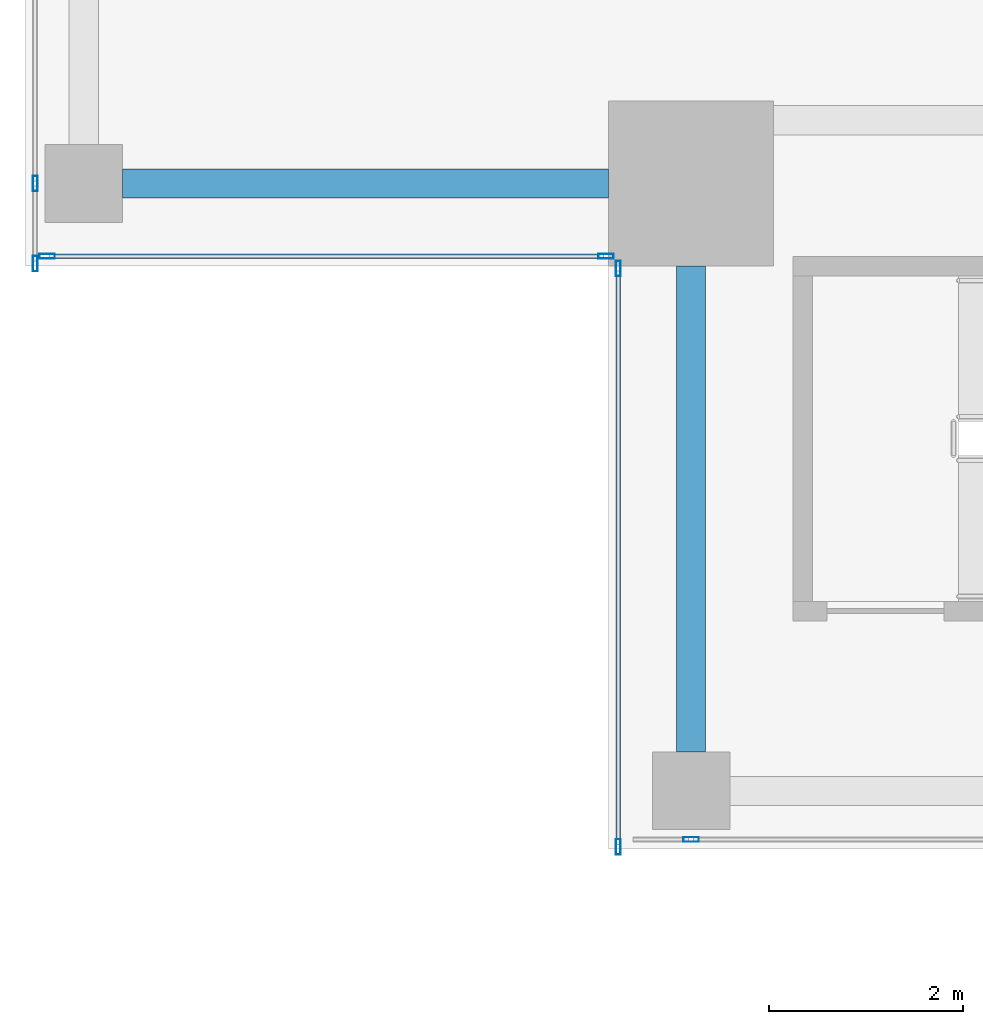
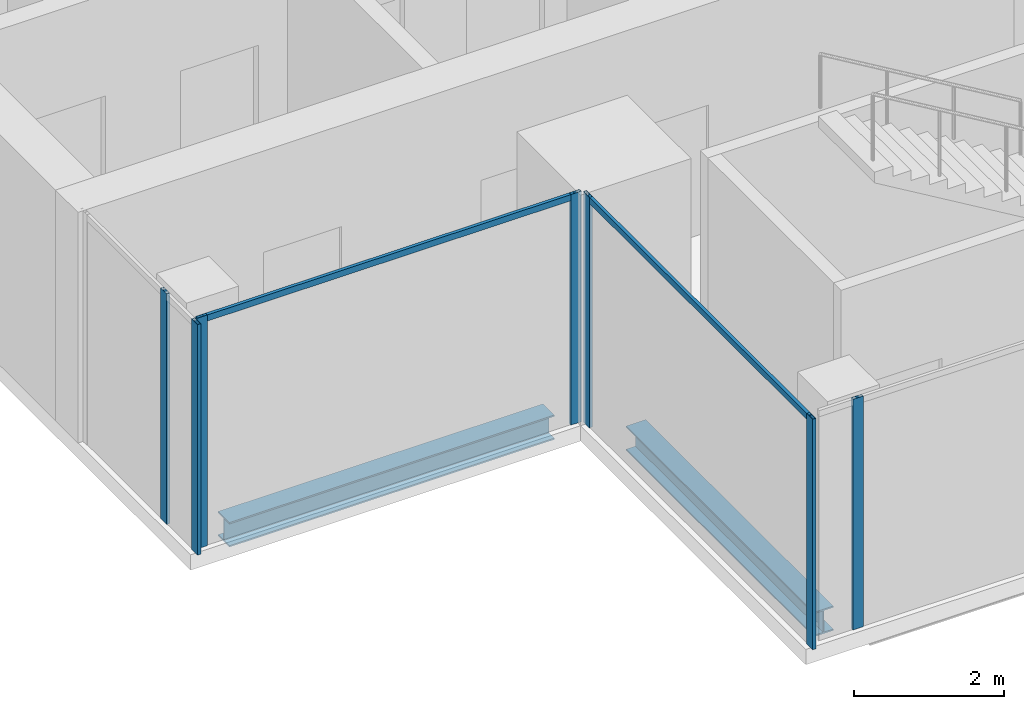
# One storey, part 2 of 29: 9 members, 2 beams, 4 elements without a shape of their own.
"""IFC4 building model written with IfcOpenShell, lengths in metres."""

from ifc_helpers import new_model, si_unit, direction, frame, origin, origin_2d, place, context, subcontext, project, spatial, hollow_rectangle, i_section, extrude, source, transform, mapped, material, material_profile, profile_set, type_object, element, aggregate, save


model = new_model("IFC4")

# Units and contexts
model_context = context("Model", 3, precision=1e-05, world=origin(), true_north=direction((0.0, 1.0)))
body_context = subcontext(model_context, "Body", "Model", "MODEL_VIEW")
ifc_project = project(units=[si_unit("LENGTHUNIT", "METRE"), si_unit("AREAUNIT", "SQUARE_METRE"), si_unit("VOLUMEUNIT", "CUBIC_METRE"), si_unit("PLANEANGLEUNIT", "RADIAN"), si_unit("MASSUNIT", "GRAM", prefix="KILO")], contexts=[model_context])

# Site, building, storey
site_placement = place(None, origin())
site = spatial("IfcSite", under=ifc_project, at=site_placement, CompositionType="ELEMENT")
building_placement = place(site_placement, origin())
building = spatial("IfcBuilding", under=site, at=building_placement, Name="Khomas Fold Tower", CompositionType="ELEMENT")
storey_placement = place(building_placement, frame((0.0, 0.0, 290.199951171875)))
storey = spatial("IfcBuildingStorey", under=building, at=storey_placement, Name="L65", CompositionType="ELEMENT", Elevation=290.199951171875)

# Beams
ifc_material_1 = material(Name="Steel S355", Category="steel")
ifc_material_profile_1 = material_profile(ifc_material_1, i_section(OverallWidth=0.300048828125, OverallDepth=0.39990234375, WebThickness=0.013427734375, FlangeThickness=0.02392578125, at=origin_2d()), Name="HE 400 B")
ifc_profile_set_1 = profile_set([ifc_material_profile_1], Name="Steel S355")
beam_type = type_object("IfcBeamType", Name="HE 400 B spandrel SB5", PredefinedType="SPANDREL", material=ifc_profile_set_1)
shared_shape_1 = source(origin(), body_context, "Body", "SweptSolid", [
    extrude(i_section(OverallWidth=0.300048828125, OverallDepth=0.39990234375, WebThickness=0.013427734375, FlangeThickness=0.02392578125, at=origin_2d()), origin(), (0.0, 0.0, 1.0), 5.0),
])
for number, where, z_axis, x_axis, name in (
    (1, (7.0, 12.85009765625, -0.449951171875), (1.0, 0.0, 0.0), (0.0, 1.0, 0.0), "SB5"),
    (2, (12.85009765625, 7.0, -0.449951171875), (0.0, 1.0, 0.0), (-1.0, 0.0, 0.0), "SB5"),
):
    element("IfcBeam", number, at=place(storey_placement, frame(where, z_axis=z_axis, x_axis=x_axis)), inside=storey, type_object=beam_type, Name=name, PredefinedType="SPANDREL", context=body_context, shape_type="MappedRepresentation", body=[
        mapped(shared_shape_1, transform((0.0, 0.0, 0.0))),
    ])

# Curtain wall, member
ifc_material_2 = material(Name="Aluminium framed double glazing", Category="aluminium")
curtain_wall_type = type_object("IfcCurtainWallType", Name="SK-Unitised clear-glass wall, upper floors CW3", PredefinedType="NOTDEFINED", material=ifc_material_2)
curtain_wall_1_placement = place(storey_placement, origin())
curtain_wall_1 = element("IfcCurtainWall", 3, at=curtain_wall_1_placement, inside=storey, type_object=curtain_wall_type, Name="CW3 run L65 00-0", PredefinedType="NOTDEFINED")
ifc_material_3 = material(Name="Aluminium", Category="aluminium")
ifc_material_profile_2 = material_profile(ifc_material_3, hollow_rectangle(XDim=0.050048828125, YDim=0.159912109375, WallThickness=0.00390625, at=origin_2d()), Name="SK-Unitised clear-glass wall, upper floors mullion CW3-M")
ifc_profile_set_2 = profile_set([ifc_material_profile_2], Name="Aluminium")
member_type_1 = type_object("IfcMemberType", Name="SK-Unitised clear-glass wall, upper floors mullion CW3-M", PredefinedType="MULLION", material=ifc_profile_set_2)
shared_shape_2 = source(origin(), body_context, "Body", "SweptSolid", [
    extrude(hollow_rectangle(XDim=0.050048828125, YDim=0.159912109375, WallThickness=0.00390625, at=origin_2d()), origin(), (0.0, 0.0, 1.0), 3.75),
])
member_1_placement = place(storey_placement, frame((12.85009765625, 6.10009765625, 0.0), z_axis=(0.0, 0.0, 1.0), x_axis=(0.0, 1.0, 0.0)))
member_1 = element("IfcMember", 4, at=member_1_placement, type_object=member_type_1, Name="CW3 mullion 2", PredefinedType="MULLION", context=body_context, shape_type="MappedRepresentation", body=[
    mapped(shared_shape_2, transform((0.0, 0.0, 0.0))),
])
aggregate(curtain_wall_1, [member_1])

# Curtain wall, members
curtain_wall_2_placement = place(storey_placement, origin())
curtain_wall_2 = element("IfcCurtainWall", 5, at=curtain_wall_2_placement, inside=storey, type_object=curtain_wall_type, Name="CW3 run L65 09-1", PredefinedType="NOTDEFINED")
member_2_placement = place(storey_placement, frame((6.10009765625, 12.85009765625, 0.0), z_axis=(0.0, 0.0, 1.0), x_axis=(1.0, 0.0, 0.0)))
member_2 = element("IfcMember", 6, at=member_2_placement, type_object=member_type_1, Name="CW3 mullion 2", PredefinedType="MULLION", context=body_context, shape_type="MappedRepresentation", body=[
    mapped(shared_shape_2, transform((0.0, 0.0, 0.0))),
])
member_3_placement = place(storey_placement, frame((6.10009765625, 12.02490234375, 0.0), z_axis=(0.0, 0.0, 1.0), x_axis=(1.0, 0.0, 0.0)))
member_3 = element("IfcMember", 7, at=member_3_placement, type_object=member_type_1, Name="CW3 mullion 3", PredefinedType="MULLION", context=body_context, shape_type="MappedRepresentation", body=[
    mapped(shared_shape_2, transform((0.0, 0.0, 0.0))),
])
aggregate(curtain_wall_2, [member_2, member_3])

curtain_wall_3_placement = place(storey_placement, origin())
curtain_wall_3 = element("IfcCurtainWall", 8, at=curtain_wall_3_placement, inside=storey, type_object=curtain_wall_type, Name="CW3 corner return L65 10", PredefinedType="NOTDEFINED")
member_4_placement = place(storey_placement, frame((6.22509765625, 12.10009765625, 0.0), z_axis=(0.0, 0.0, 1.0), x_axis=(0.0, 1.0, 0.0)))
member_4 = element("IfcMember", 9, at=member_4_placement, type_object=member_type_1, Name="CW3 mullion 1", PredefinedType="MULLION", context=body_context, shape_type="MappedRepresentation", body=[
    mapped(shared_shape_2, transform((0.0, 0.0, 0.0))),
])
member_5_placement = place(storey_placement, frame((11.97509765625, 12.10009765625, 0.0), z_axis=(0.0, 0.0, 1.0), x_axis=(0.0, 1.0, 0.0)))
member_5 = element("IfcMember", 10, at=member_5_placement, type_object=member_type_1, Name="CW3 mullion 2", PredefinedType="MULLION", context=body_context, shape_type="MappedRepresentation", body=[
    mapped(shared_shape_2, transform((0.0, 0.0, 0.0))),
])

curtain_wall_4_placement = place(storey_placement, origin())
curtain_wall_4 = element("IfcCurtainWall", 11, at=curtain_wall_4_placement, inside=storey, type_object=curtain_wall_type, Name="CW3 corner return L65 11", PredefinedType="NOTDEFINED")
member_6_placement = place(storey_placement, frame((12.10009765625, 11.97509765625, 0.0), z_axis=(0.0, 0.0, 1.0), x_axis=(1.0, 0.0, 0.0)))
member_6 = element("IfcMember", 12, at=member_6_placement, type_object=member_type_1, Name="CW3 mullion 1", PredefinedType="MULLION", context=body_context, shape_type="MappedRepresentation", body=[
    mapped(shared_shape_2, transform((0.0, 0.0, 0.0))),
])
member_7_placement = place(storey_placement, frame((12.10009765625, 6.02490234375, 0.0), z_axis=(0.0, 0.0, 1.0), x_axis=(1.0, 0.0, 0.0)))
member_7 = element("IfcMember", 13, at=member_7_placement, type_object=member_type_1, Name="CW3 mullion 2", PredefinedType="MULLION", context=body_context, shape_type="MappedRepresentation", body=[
    mapped(shared_shape_2, transform((0.0, 0.0, 0.0))),
])

# Member
ifc_material_4 = material(Name="Aluminium", Category="aluminium")
ifc_material_profile_3 = material_profile(ifc_material_4, hollow_rectangle(XDim=0.050048828125, YDim=0.10009765625, WallThickness=0.00390625, at=origin_2d()), Name="SK-Unitised clear-glass wall, upper floors transom CW3-T")
ifc_profile_set_3 = profile_set([ifc_material_profile_3], Name="Aluminium")
member_type_2 = type_object("IfcMemberType", Name="SK-Unitised clear-glass wall, upper floors transom CW3-T", PredefinedType="USERDEFINED", material=ifc_profile_set_3)
shared_shape_3 = source(origin(), body_context, "Body", "SweptSolid", [
    extrude(hollow_rectangle(XDim=0.050048828125, YDim=0.10009765625, WallThickness=0.00390625, at=origin_2d()), origin(), (0.0, 0.0, 1.0), 5.699951171875),
])
member_8_placement = place(storey_placement, frame((6.25, 12.10009765625, 3.699951171875), z_axis=(1.0, 0.0, 0.0), x_axis=(0.0, 1.0, 0.0)))
member_8 = element("IfcMember", 14, at=member_8_placement, type_object=member_type_2, Name="CW3 transom 1", ObjectType="TRANSOM", PredefinedType="USERDEFINED", context=body_context, shape_type="MappedRepresentation", body=[
    mapped(shared_shape_3, transform((0.0, 0.0, 0.0))),
])

aggregate(curtain_wall_3, [member_4, member_5, member_8])

shared_shape_4 = source(origin(), body_context, "Body", "SweptSolid", [
    extrude(hollow_rectangle(XDim=0.050048828125, YDim=0.10009765625, WallThickness=0.00390625, at=origin_2d()), origin(), (0.0, 0.0, 1.0), 5.89990234375),
])
member_9_placement = place(storey_placement, frame((12.10009765625, 11.949951171875, 3.699951171875), z_axis=(0.0, -1.0, 0.0), x_axis=(1.0, 0.0, 0.0)))
member_9 = element("IfcMember", 15, at=member_9_placement, type_object=member_type_2, Name="CW3 transom 1", ObjectType="TRANSOM", PredefinedType="USERDEFINED", context=body_context, shape_type="MappedRepresentation", body=[
    mapped(shared_shape_4, transform((0.0, 0.0, 0.0))),
])

aggregate(curtain_wall_4, [member_6, member_7, member_9])

save(model, "model.ifc")
